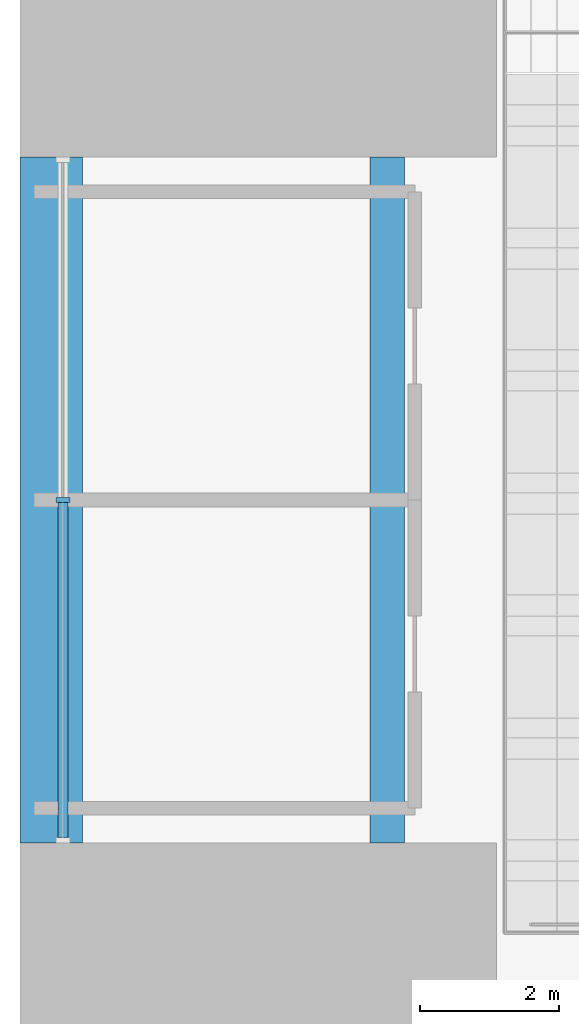
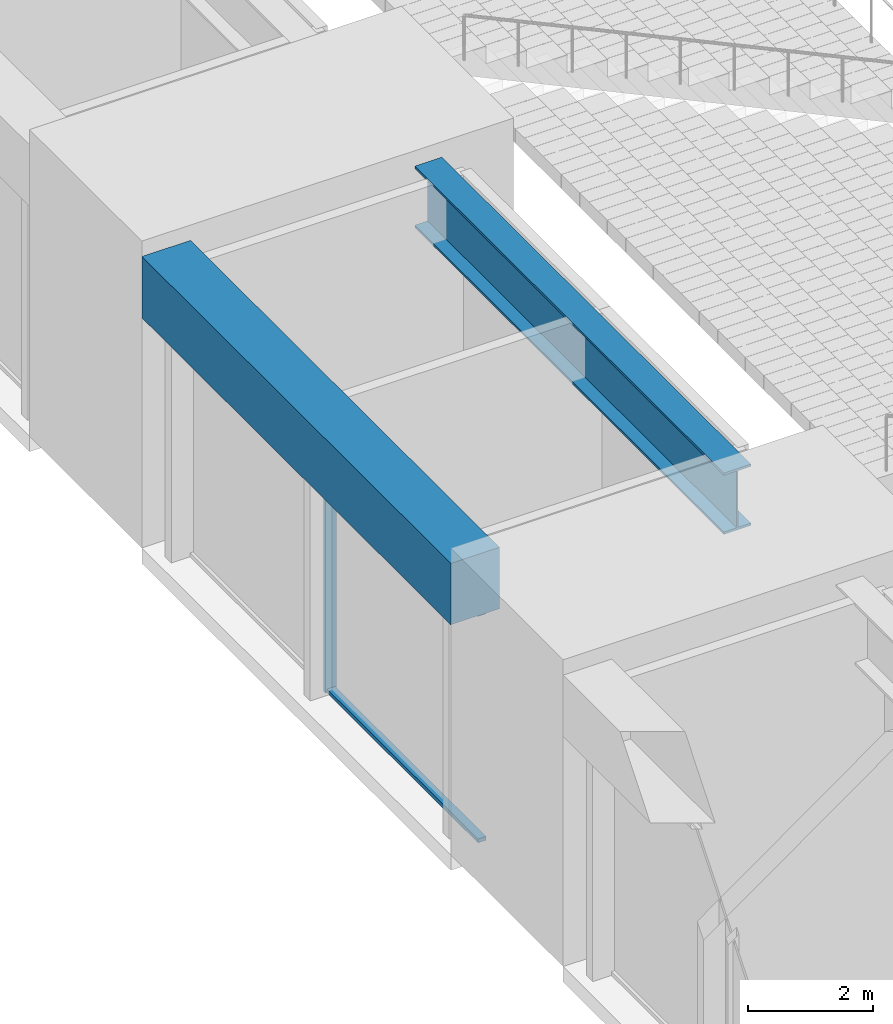
# One storey, part 5 of 61: 3 members, 2 beams, 1 element without a shape of its own.
"""IFC4 building model written with IfcOpenShell, lengths in metres."""

from ifc_helpers import new_model, si_unit, direction, frame, origin, origin_2d, place, context, subcontext, project, spatial, rectangle, i_section, extrude, material, layer, layer_set, material_profile, profile_set, type_object, element, aggregate, save


model = new_model("IFC4")

# Units and contexts
model_context = context("Model", 3, precision=1e-05, world=origin(), true_north=direction((0.0, 1.0)))
body_context = subcontext(model_context, "Body", "Model", "MODEL_VIEW")
ifc_project = project(units=[si_unit("LENGTHUNIT", "METRE"), si_unit("AREAUNIT", "SQUARE_METRE"), si_unit("VOLUMEUNIT", "CUBIC_METRE"), si_unit("PLANEANGLEUNIT", "RADIAN"), si_unit("MASSUNIT", "GRAM", prefix="KILO")], contexts=[model_context])

# Site, building, storey
site_placement = place(None, origin())
site = spatial("IfcSite", under=ifc_project, at=site_placement, CompositionType="ELEMENT")
building_placement = place(site_placement, origin())
building = spatial("IfcBuilding", under=site, at=building_placement, Name="Corbelhall Arena Tower", CompositionType="ELEMENT")
storey_placement = place(building_placement, frame((0.0, 0.0, 31.0)))
storey = spatial("IfcBuildingStorey", under=building, at=storey_placement, Name="L04", CompositionType="ELEMENT", Elevation=31.0)

# Curtain wall, members
ifc_material_1 = material(Name="Aluminium black anodised", Category="aluminium")
ifc_layer = layer(ifc_material_1, 0.239990234375)
ifc_layer_set = layer_set([ifc_layer], Name="EV-CW4 Arena concourse glazing")
curtain_wall_type = type_object("IfcCurtainWallType", Name="EV-CW4 Arena concourse glazing", PredefinedType="NOTDEFINED", material=ifc_layer_set)
curtain_wall_placement = place(storey_placement, origin())
curtain_wall = element("IfcCurtainWall", 1, at=curtain_wall_placement, inside=storey, type_object=curtain_wall_type, Name="Curtain wall CW4", PredefinedType="NOTDEFINED")
ifc_material_profile_1 = material_profile(ifc_material_1, rectangle(XDim=0.199951171875, YDim=0.074951171875, at=origin_2d()))
ifc_profile_set_1 = profile_set([ifc_material_profile_1], Name="Aluminium black anodised")
member_type_1 = type_object("IfcMemberType", Name="EV-CW4-MULLION", PredefinedType="MULLION", material=ifc_profile_set_1)
member_1_placement = place(storey_placement, frame((-47.3798828125, -6.75, 0.0), z_axis=(0.0, 0.0, 1.0), x_axis=(1.0, 0.0, 0.0)))
member_1 = element("IfcMember", 2, at=member_1_placement, type_object=member_type_1, Name="CW4 mullion 2", PredefinedType="MULLION", context=body_context, shape_type="SweptSolid", body=[
    extrude(rectangle(XDim=0.199951171875, YDim=0.074951171875, at=origin_2d()), origin(), (0.0, 0.0, 1.0), 4.5),
])
ifc_material_profile_2 = material_profile(ifc_material_1, rectangle(XDim=0.14990234375, YDim=0.074951171875, at=origin_2d()))
ifc_profile_set_2 = profile_set([ifc_material_profile_2], Name="Aluminium black anodised")
member_type_2 = type_object("IfcMemberType", Name="EV-CW4-TRANSOM", PredefinedType="USERDEFINED", material=ifc_profile_set_2)
member_2_placement = place(storey_placement, frame((-47.3798828125, -6.78759765625, 0.03759765625), z_axis=(0.0, -1.0, 0.0), x_axis=(1.0, 0.0, 0.0)))
member_2 = element("IfcMember", 3, at=member_2_placement, type_object=member_type_2, Name="CW4 transom 2.1", ObjectType="transom", PredefinedType="USERDEFINED", context=body_context, shape_type="SweptSolid", body=[
    extrude(rectangle(XDim=0.14990234375, YDim=0.074951171875, at=origin_2d()), origin(), (0.0, 0.0, 1.0), 4.83740234375),
])
member_3_placement = place(storey_placement, frame((-47.3798828125, -6.78759765625, 4.46240234375), z_axis=(0.0, -1.0, 0.0), x_axis=(1.0, 0.0, 0.0)))
member_3 = element("IfcMember", 4, at=member_3_placement, type_object=member_type_2, Name="CW4 transom 2.2", ObjectType="transom", PredefinedType="USERDEFINED", context=body_context, shape_type="SweptSolid", body=[
    extrude(rectangle(XDim=0.14990234375, YDim=0.074951171875, at=origin_2d()), origin(), (0.0, 0.0, 1.0), 4.83740234375),
])
aggregate(curtain_wall, [member_1, member_2, member_3])

# Beams
ifc_material_2 = material(Name="Steel ASTM A572 Gr50", Category="steel")
ifc_material_profile_3 = material_profile(ifc_material_2, i_section(OverallWidth=0.5, OverallDepth=1.199951171875, WebThickness=0.02490234375, FlangeThickness=0.044921875, at=origin_2d()))
ifc_profile_set_3 = profile_set([ifc_material_profile_3], Name="Steel ASTM A572 Gr50")
beam_type_1 = type_object("IfcBeamType", Name="PO-GIRDER-PG1200X500X25X45", PredefinedType="BEAM", material=ifc_profile_set_3)
beam_1_placement = place(storey_placement, frame((-42.699951171875, -11.699951171875, 5.10009765625), z_axis=(0.0, 1.0, 0.0), x_axis=(-1.0, 0.0, 0.0)))
element("IfcBeam", 5, at=beam_1_placement, inside=storey, type_object=beam_type_1, Name="INNER END GIRDER", PredefinedType="BEAM", context=body_context, shape_type="SweptSolid", body=[
    extrude(i_section(OverallWidth=0.5, OverallDepth=1.199951171875, WebThickness=0.02490234375, FlangeThickness=0.044921875, at=origin_2d()), origin(), (0.0, 0.0, 1.0), 9.89990234375),
])
ifc_material_3 = material(Name="Concrete C80/95", Category="concrete")
ifc_material_profile_4 = material_profile(ifc_material_3, rectangle(XDim=0.89990234375, YDim=1.199951171875, at=origin_2d()))
ifc_profile_set_4 = profile_set([ifc_material_profile_4], Name="Concrete C80/95")
beam_type_2 = type_object("IfcBeamType", Name="PO-RING-BEAM", PredefinedType="BEAM", material=ifc_profile_set_4)
beam_2_placement = place(storey_placement, frame((-47.550048828125, -11.699951171875, 5.10009765625), z_axis=(0.0, 1.0, 0.0), x_axis=(-1.0, 0.0, 0.0)))
element("IfcBeam", 6, at=beam_2_placement, inside=storey, type_object=beam_type_2, Name="RING GIRDER L05 W2", PredefinedType="BEAM", context=body_context, shape_type="SweptSolid", body=[
    extrude(rectangle(XDim=0.89990234375, YDim=1.199951171875, at=origin_2d()), origin(), (0.0, 0.0, 1.0), 9.89990234375),
])

save(model, "model.ifc")
